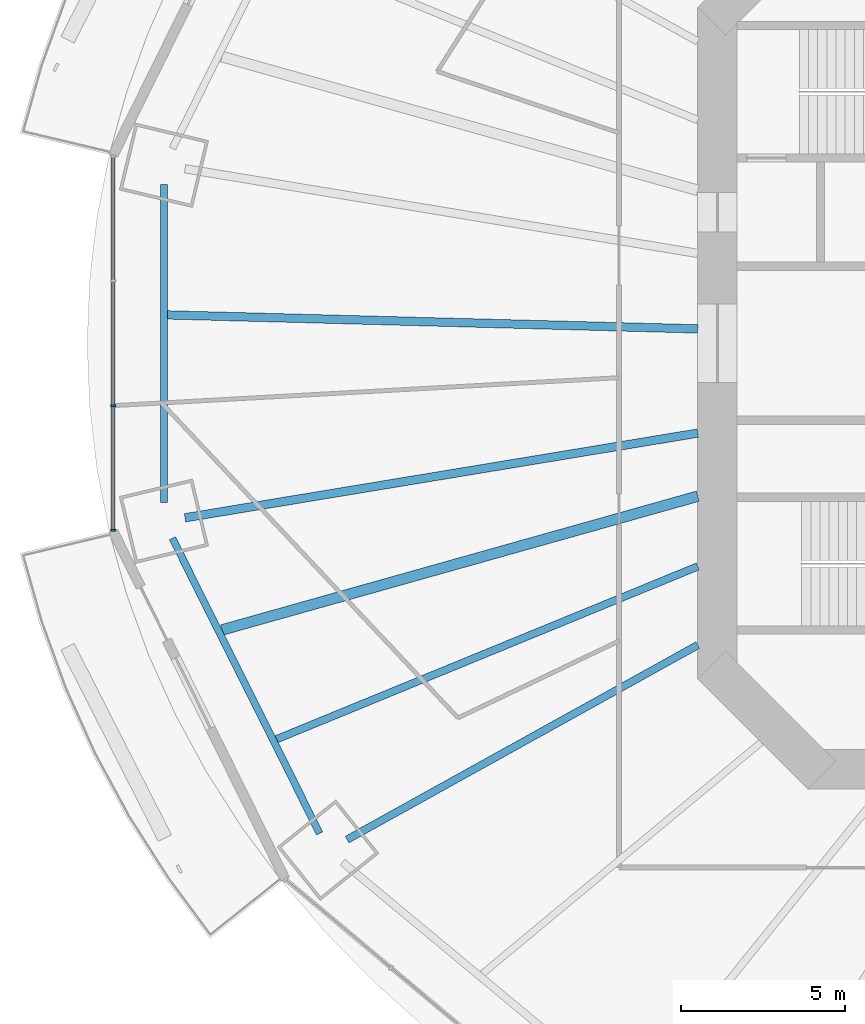
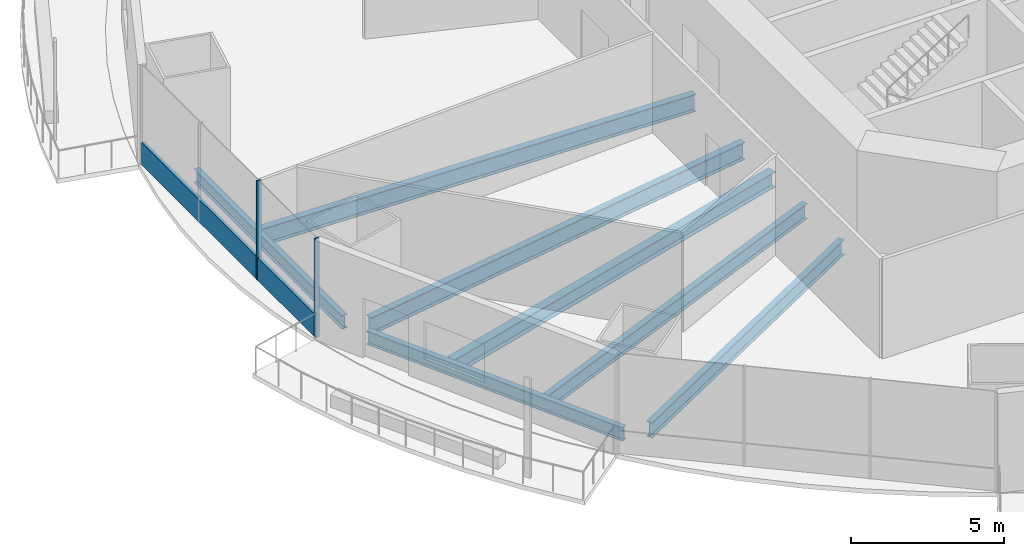
# One storey, part 3 of 22: 7 beams, 3 members, 1 element without a shape of its own.
"""IFC4 building model written with IfcOpenShell, lengths in metres."""

from ifc_helpers import new_model, si_unit, direction, frame, origin, origin_2d, place, context, subcontext, project, spatial, rectangle, i_section, extrude, material, material_profile, profile_set, type_object, element, aggregate, save


model = new_model("IFC4")

# Units and contexts
model_context = context("Model", 3, precision=1e-05, world=origin(), true_north=direction((0.0, 1.0)))
body_context = subcontext(model_context, "Body", "Model", "MODEL_VIEW")
ifc_project = project(units=[si_unit("LENGTHUNIT", "METRE"), si_unit("AREAUNIT", "SQUARE_METRE"), si_unit("VOLUMEUNIT", "CUBIC_METRE"), si_unit("PLANEANGLEUNIT", "RADIAN"), si_unit("MASSUNIT", "GRAM", prefix="KILO")], contexts=[model_context])

# Site, building, storey
site_placement = place(None, origin())
site = spatial("IfcSite", under=ifc_project, at=site_placement, CompositionType="ELEMENT")
building_placement = place(site_placement, origin())
building = spatial("IfcBuilding", under=site, at=building_placement, Name="Marenthal Gate Tower", CompositionType="ELEMENT")
storey_placement = place(building_placement, frame((0.0, 0.0, 91.10009765625)))
storey = spatial("IfcBuildingStorey", under=building, at=storey_placement, Name="L18", CompositionType="ELEMENT", Elevation=91.10009765625)

# Curtain wall, members
ifc_material_1 = material(Name="Aluminium and glass", Category="aluminium")
curtain_wall_type = type_object("IfcCurtainWallType", Name="Curtain wall typical low", PredefinedType="NOTDEFINED", material=ifc_material_1)
curtain_wall_placement = place(storey_placement, origin())
curtain_wall = element("IfcCurtainWall", 1, at=curtain_wall_placement, inside=storey, type_object=curtain_wall_type, Name="Curtain wall L18 bay 8", PredefinedType="NOTDEFINED")
ifc_material_2 = material(Name="Aluminium", Category="aluminium")
ifc_material_profile_1 = material_profile(ifc_material_2, rectangle(XDim=0.159912109375, YDim=0.06005859375, at=origin_2d()), Name="60x160 aluminium mullion")
ifc_profile_set_1 = profile_set([ifc_material_profile_1], Name="Aluminium")
member_type_1 = type_object("IfcMemberType", Name="Mullion 60x160 typical low", PredefinedType="MULLION", material=ifc_profile_set_1)
member_1_placement = place(storey_placement, frame((-34.436279296875, -1.903076171875, 0.0), z_axis=(0.0, 0.0, 1.0), x_axis=(1.0, 0.0, 0.0)))
member_1 = element("IfcMember", 2, at=member_1_placement, type_object=member_type_1, Name="Mullion L18 bay 8.3", PredefinedType="MULLION", context=body_context, shape_type="SweptSolid", body=[
    extrude(rectangle(XDim=0.159912109375, YDim=0.06005859375, at=origin_2d()), origin(), (0.0, 0.0, 1.0), 3.969970703125),
])
member_2_placement = place(storey_placement, frame((-34.436279296875, -5.709228515625, 0.0), z_axis=(0.0, 0.0, 1.0), x_axis=(1.0, 0.0, 0.0)))
member_2 = element("IfcMember", 3, at=member_2_placement, type_object=member_type_1, Name="Mullion L18 bay 8.4", PredefinedType="MULLION", context=body_context, shape_type="SweptSolid", body=[
    extrude(rectangle(XDim=0.159912109375, YDim=0.06005859375, at=origin_2d()), origin(), (0.0, 0.0, 1.0), 3.969970703125),
])
ifc_material_3 = material(Name="Aluminium", Category="aluminium")
ifc_material_profile_2 = material_profile(ifc_material_3, rectangle(XDim=0.1201171875, YDim=0.89990234375, at=origin_2d()), Name="120x900 aluminium transom")
ifc_profile_set_2 = profile_set([ifc_material_profile_2], Name="Aluminium")
member_type_2 = type_object("IfcMemberType", Name="Transom 120x900 typical low", PredefinedType="USERDEFINED", material=ifc_profile_set_2)
member_3_placement = place(storey_placement, frame((-34.436279296875, 5.67919921875, 0.449951171875), z_axis=(0.0, -1.0, 0.0), x_axis=(1.0, 0.0, 0.0)))
member_3 = element("IfcMember", 4, at=member_3_placement, type_object=member_type_2, Name="Transom L18 bay 8", ObjectType="TRANSOM", PredefinedType="USERDEFINED", context=body_context, shape_type="SweptSolid", body=[
    extrude(rectangle(XDim=0.1201171875, YDim=0.89990234375, at=origin_2d()), origin(), (0.0, 0.0, 1.0), 11.3583984375),
])
aggregate(curtain_wall, [member_1, member_2, member_3])

# Beams
ifc_material_4 = material(Name="Steel S355", Category="steel")
ifc_material_profile_3 = material_profile(ifc_material_4, i_section(OverallWidth=0.2119140625, OverallDepth=0.5439453125, WebThickness=0.01318359375, FlangeThickness=0.021240234375, FilletRadius=0.0126953125, at=origin_2d()), Name="W530X123")
ifc_profile_set_3 = profile_set([ifc_material_profile_3], Name="Steel S355")
beam_type_1 = type_object("IfcBeamType", Name="W530X123 beam", PredefinedType="BEAM", material=ifc_profile_set_3)
beam_1_placement = place(storey_placement, frame((-32.88671875, 4.851318359375, -0.4521484375), z_axis=(0.0, -1.0, 0.0), x_axis=(1.0, 0.0, 0.0)))
element("IfcBeam", 5, at=beam_1_placement, inside=storey, type_object=beam_type_1, Name="BM-L18-48", PredefinedType="BEAM", context=body_context, shape_type="SweptSolid", body=[
    extrude(i_section(OverallWidth=0.2119140625, OverallDepth=0.5439453125, WebThickness=0.01318359375, FlangeThickness=0.021240234375, FilletRadius=0.0126953125, at=origin_2d()), origin(), (0.0, 0.0, 1.0), 9.70263671875),
])
beam_2_placement = place(storey_placement, frame((-32.628662109375, -5.947998046875, -0.4521484375), z_axis=(0.446427279823, -0.894819916983, 0.0), x_axis=(0.894819916983, 0.446427279823, 0.0)))
element("IfcBeam", 6, at=beam_2_placement, inside=storey, type_object=beam_type_1, Name="BM-L18-49", PredefinedType="BEAM", context=body_context, shape_type="SweptSolid", body=[
    extrude(i_section(OverallWidth=0.2119140625, OverallDepth=0.5439453125, WebThickness=0.01318359375, FlangeThickness=0.021240234375, FilletRadius=0.0126953125, at=origin_2d()), origin(), (0.0, 0.0, 1.0), 10.06201171875),
])
ifc_material_5 = material(Name="Steel S355", Category="steel")
ifc_material_profile_4 = material_profile(ifc_material_5, i_section(OverallWidth=0.22900390625, OverallDepth=0.612060546875, WebThickness=0.011962890625, FlangeThickness=0.01953125, FilletRadius=0.0126953125, at=origin_2d()), Name="W610X125")
ifc_profile_set_4 = profile_set([ifc_material_profile_4], Name="Steel S355")
beam_type_2 = type_object("IfcBeamType", Name="W610X125 beam", PredefinedType="BEAM", material=ifc_profile_set_4)
beam_3_placement = place(storey_placement, frame((-27.296630859375, -15.142333984375, -0.486083984375), z_axis=(0.874458374023, 0.485100558752, 0.0), x_axis=(-0.485100558752, 0.874458374023, 0.0)))
element("IfcBeam", 7, at=beam_3_placement, inside=storey, type_object=beam_type_2, Name="BM-L18-10", PredefinedType="BEAM", context=body_context, shape_type="SweptSolid", body=[
    extrude(i_section(OverallWidth=0.22900390625, OverallDepth=0.612060546875, WebThickness=0.011962890625, FlangeThickness=0.01953125, FilletRadius=0.0126953125, at=origin_2d()), origin(), (0.0, 0.0, 1.0), 12.232177734375),
])
beam_4_placement = place(storey_placement, frame((-29.45068359375, -12.08056640625, -0.486083984375), z_axis=(0.925188716507, 0.379507363365, 0.0), x_axis=(-0.379507363365, 0.925188716507, 0.0)))
element("IfcBeam", 8, at=beam_4_placement, inside=storey, type_object=beam_type_2, Name="BM-L18-30", PredefinedType="BEAM", context=body_context, shape_type="SweptSolid", body=[
    extrude(i_section(OverallWidth=0.22900390625, OverallDepth=0.612060546875, WebThickness=0.011962890625, FlangeThickness=0.01953125, FilletRadius=0.0126953125, at=origin_2d()), origin(), (0.0, 0.0, 1.0), 13.8896484375),
])
ifc_material_6 = material(Name="Steel S355", Category="steel")
ifc_material_profile_5 = material_profile(ifc_material_6, i_section(OverallWidth=0.324951171875, OverallDepth=0.612060546875, WebThickness=0.0126953125, FlangeThickness=0.01904296875, FilletRadius=0.0126953125, at=origin_2d()), Name="W610X155")
ifc_profile_set_5 = profile_set([ifc_material_profile_5], Name="Steel S355")
beam_type_3 = type_object("IfcBeamType", Name="W610X155 beam", PredefinedType="BEAM", material=ifc_profile_set_5)
beam_5_placement = place(storey_placement, frame((-31.114013671875, -8.74658203125, -0.486083984375), z_axis=(0.962684828959, 0.270625054443, 0.0), x_axis=(-0.270625054443, 0.962684828959, 0.0)))
element("IfcBeam", 9, at=beam_5_placement, inside=storey, type_object=beam_type_3, Name="BM-L18-29", PredefinedType="BEAM", context=body_context, shape_type="SweptSolid", body=[
    extrude(i_section(OverallWidth=0.324951171875, OverallDepth=0.612060546875, WebThickness=0.0126953125, FlangeThickness=0.01904296875, FilletRadius=0.0126953125, at=origin_2d()), origin(), (0.0, 0.0, 1.0), 15.076416015625),
])
ifc_material_7 = material(Name="Steel S355", Category="steel")
ifc_material_profile_6 = material_profile(ifc_material_7, i_section(OverallWidth=0.257080078125, OverallDepth=0.693115234375, WebThickness=0.014404296875, FlangeThickness=0.023681640625, FilletRadius=0.015380859375, at=origin_2d()), Name="W690X170")
ifc_profile_set_6 = profile_set([ifc_material_profile_6], Name="Steel S355")
beam_type_4 = type_object("IfcBeamType", Name="W690X170 beam", PredefinedType="BEAM", material=ifc_profile_set_6)
beam_6_placement = place(storey_placement, frame((-32.242431640625, -5.324462890625, -0.526611328125), z_axis=(0.986636314494, 0.162937972619, 0.0), x_axis=(-0.162937972619, 0.986636314494, 0.0)))
element("IfcBeam", 10, at=beam_6_placement, inside=storey, type_object=beam_type_4, Name="BM-L18-09", PredefinedType="BEAM", context=body_context, shape_type="SweptSolid", body=[
    extrude(i_section(OverallWidth=0.257080078125, OverallDepth=0.693115234375, WebThickness=0.014404296875, FlangeThickness=0.023681640625, FilletRadius=0.015380859375, at=origin_2d()), origin(), (0.0, 0.0, 1.0), 15.854248046875),
])
beam_7_placement = place(storey_placement, frame((-32.78076171875, 0.8662109375, -0.526611328125), z_axis=(0.999651179151, -0.026410604362, 0.0), x_axis=(0.026410604362, 0.999651179151, 0.0)))
element("IfcBeam", 11, at=beam_7_placement, inside=storey, type_object=beam_type_4, Name="BM-L18-28", PredefinedType="BEAM", context=body_context, shape_type="SweptSolid", body=[
    extrude(i_section(OverallWidth=0.257080078125, OverallDepth=0.693115234375, WebThickness=0.014404296875, FlangeThickness=0.023681640625, FilletRadius=0.015380859375, at=origin_2d()), origin(), (0.0, 0.0, 1.0), 16.186279296875),
])

save(model, "model.ifc")
